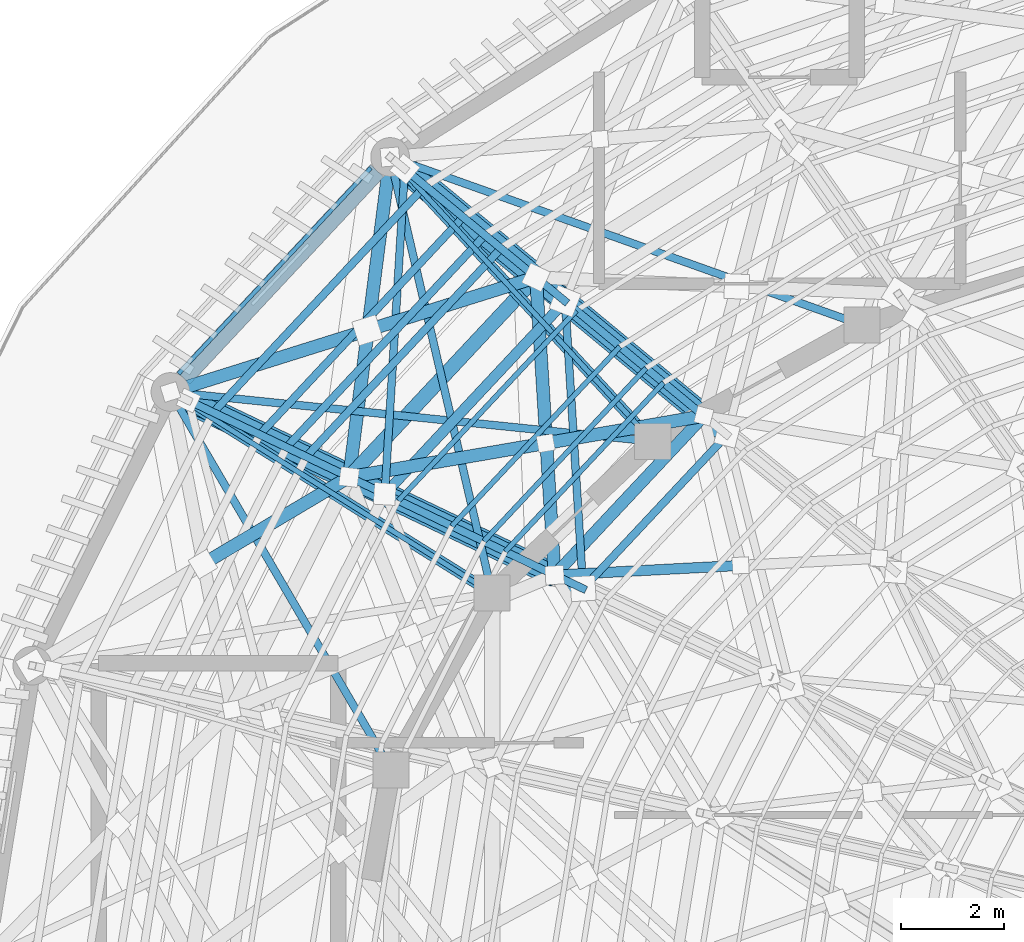
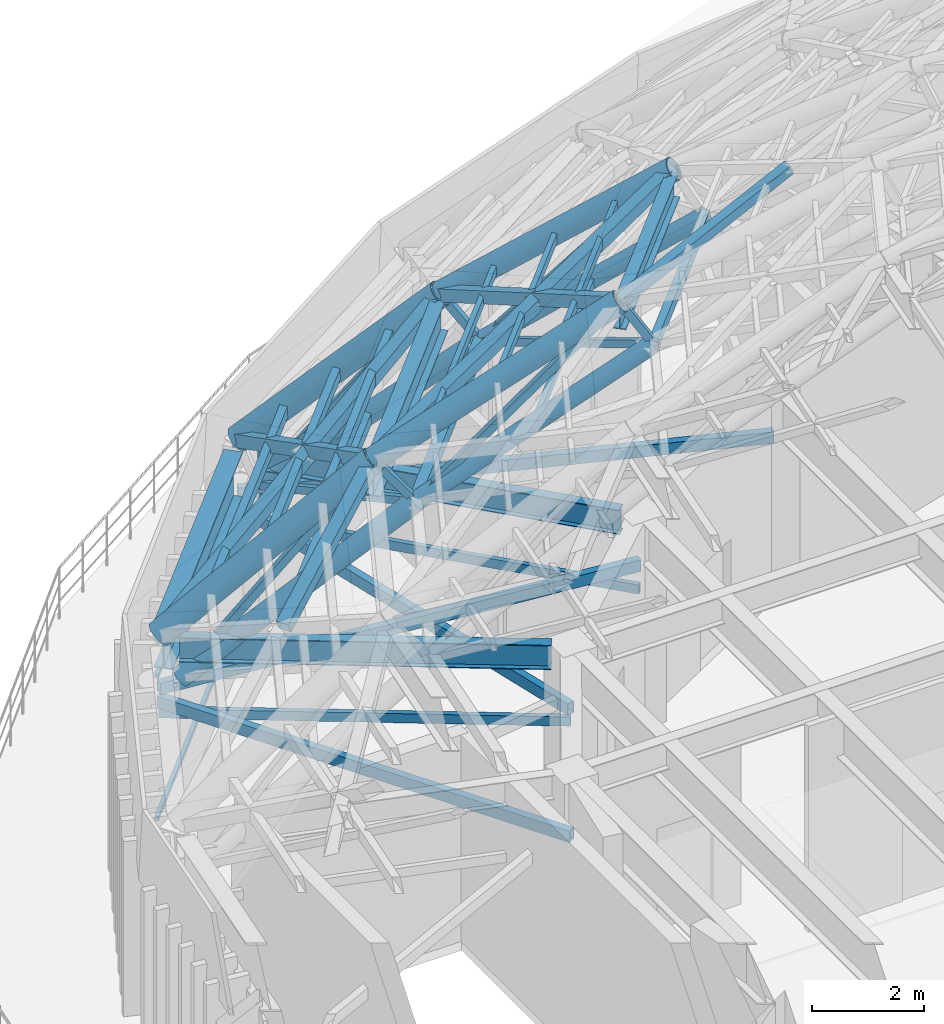
# One storey, part 26 of 50: 43 members, 5 beams.
"""IFC4 building model written with IfcOpenShell, lengths in metres."""

from ifc_helpers import new_model, si_unit, direction, frame, origin, origin_2d, place, context, subcontext, project, spatial, rectangle, hollow_rectangle, hollow_circle, i_section, extrude, material, material_profile, profile_set, type_object, element, save


model = new_model("IFC4")

# Units and contexts
model_context = context("Model", 3, precision=1e-05, world=origin(), true_north=direction((0.0, 1.0)))
body_context = subcontext(model_context, "Body", "Model", "MODEL_VIEW")
ifc_project = project(units=[si_unit("LENGTHUNIT", "METRE"), si_unit("AREAUNIT", "SQUARE_METRE"), si_unit("VOLUMEUNIT", "CUBIC_METRE"), si_unit("PLANEANGLEUNIT", "RADIAN"), si_unit("MASSUNIT", "GRAM", prefix="KILO")], contexts=[model_context])

# Site, building, storey
site_placement = place(None, origin())
site = spatial("IfcSite", under=ifc_project, at=site_placement, CompositionType="ELEMENT")
building_placement = place(site_placement, origin())
building = spatial("IfcBuilding", under=site, at=building_placement, Name="Cinderbank Siding Concert Hall", CompositionType="ELEMENT")
storey_placement = place(building_placement, frame((0.0, 0.0, 23.699951171875)))
storey = spatial("IfcBuildingStorey", under=building, at=storey_placement, Name="L06", CompositionType="ELEMENT", Elevation=23.699951171875)

# Beams
ifc_material_1 = material(Name="Structural steel AS/NZS 3679.1 Grade 350 (340 MPa)", Category="steel")
ifc_material_profile_1 = material_profile(ifc_material_1, i_section(OverallWidth=0.208984375, OverallDepth=0.532958984375, WebThickness=0.01025390625, FlangeThickness=0.015625, at=origin_2d()), Name="530UB92.4", Category="LoadBearing")
ifc_profile_set_1 = profile_set([ifc_material_profile_1], Name="Structural steel AS/NZS 3679.1 Grade 350 (340 MPa)")
beam_type_1 = type_object("IfcBeamType", Name="BM-UB530H 530UB92.4", PredefinedType="BEAM", material=ifc_profile_set_1)
beam_1_placement = place(storey_placement, frame((107.90869140625, 54.292236328125, 4.235595703125), z_axis=(-0.67829203735, 0.734792427879, 0.0), x_axis=(-0.734792427879, -0.67829203735, 0.0)))
element("IfcBeam", 1, at=beam_1_placement, inside=storey, type_object=beam_type_1, Name="L06 Beam BM-UB530H #843", PredefinedType="BEAM", context=body_context, shape_type="SweptSolid", body=[
    extrude(i_section(OverallWidth=0.208984375, OverallDepth=0.532958984375, WebThickness=0.01025390625, FlangeThickness=0.015625, at=origin_2d()), origin(), (0.0, 0.0, 1.0), 6.797119140625),
])
beam_2_placement = place(storey_placement, frame((104.73583984375, 51.281494140625, 4.235595703125), z_axis=(-0.84781868984, 0.530286214376, 0.0), x_axis=(-0.530286214376, -0.84781868984, 0.0)))
element("IfcBeam", 2, at=beam_2_placement, inside=storey, type_object=beam_type_1, Name="L06 Beam BM-UB530H #844", PredefinedType="BEAM", context=body_context, shape_type="SweptSolid", body=[
    extrude(i_section(OverallWidth=0.208984375, OverallDepth=0.532958984375, WebThickness=0.01025390625, FlangeThickness=0.015625, at=origin_2d()), origin(), (0.0, 0.0, 1.0), 6.645263671875),
])
ifc_material_profile_2 = material_profile(ifc_material_1, i_section(OverallWidth=0.22900390625, OverallDepth=0.611572265625, WebThickness=0.011962890625, FlangeThickness=0.01953125, at=origin_2d()), Name="610UB125", Category="LoadBearing")
ifc_profile_set_2 = profile_set([ifc_material_profile_2], Name="Structural steel AS/NZS 3679.1 Grade 350 (340 MPa)")
beam_type_2 = type_object("IfcBeamType", Name="BM-UB610H 610UB125", PredefinedType="BEAM", material=ifc_profile_set_2)
beam_3_placement = place(storey_placement, frame((109.130615234375, 54.535888671875, 10.994140625), z_axis=(-0.683848958016, -0.729623603387, 0.0), x_axis=(0.729623603387, -0.683848958016, 0.0)))
element("IfcBeam", 3, at=beam_3_placement, inside=storey, type_object=beam_type_2, Name="L06 Beam BM-UB610H #2062", PredefinedType="BEAM", context=body_context, shape_type="SweptSolid", body=[
    extrude(i_section(OverallWidth=0.22900390625, OverallDepth=0.611572265625, WebThickness=0.011962890625, FlangeThickness=0.01953125, at=origin_2d()), origin(), (0.0, 0.0, 1.0), 4.2294921875),
])
ifc_material_2 = material(Name="Structural steel welded plate section AS/NZS 3679.2 / AS/NZS 3678 Grade 350 (340 MPa)", Category="steel")
ifc_material_profile_3 = material_profile(ifc_material_2, i_section(OverallWidth=0.35009765625, OverallDepth=1.0, WebThickness=0.013916015625, FlangeThickness=0.02490234375, at=origin_2d()), Name="1000WB258", Category="LoadBearing")
ifc_profile_set_3 = profile_set([ifc_material_profile_3], Name="Structural steel welded plate section AS/NZS 3679.2 / AS/NZS 3678 Grade 350 (340 MPa)")
beam_type_3 = type_object("IfcBeamType", Name="BM-WB1000 1000WB258", PredefinedType="BEAM", material=ifc_profile_set_3)
beam_4_placement = place(storey_placement, frame((102.798828125, 59.2880859375, 4.0), z_axis=(-0.682880789785, -0.730529826183, 0.0), x_axis=(0.730529826183, -0.682880789785, 0.0)))
element("IfcBeam", 4, at=beam_4_placement, inside=storey, type_object=beam_type_3, Name="L06 Beam BM-WB1000 #825", PredefinedType="BEAM", context=body_context, shape_type="SweptSolid", body=[
    extrude(i_section(OverallWidth=0.35009765625, OverallDepth=1.0, WebThickness=0.013916015625, FlangeThickness=0.02490234375, at=origin_2d()), origin(), (0.0, 0.0, 1.0), 5.5029296875),
])
ifc_material_profile_4 = material_profile(ifc_material_2, i_section(OverallWidth=0.27490234375, OverallDepth=0.800048828125, WebThickness=0.010009765625, FlangeThickness=0.01611328125, at=origin_2d()), Name="800WB146", Category="LoadBearing")
ifc_profile_set_4 = profile_set([ifc_material_profile_4], Name="Structural steel welded plate section AS/NZS 3679.2 / AS/NZS 3678 Grade 350 (340 MPa)")
beam_type_4 = type_object("IfcBeamType", Name="BM-WB800 800WB146", PredefinedType="BEAM", material=ifc_profile_set_4)
beam_5_placement = place(storey_placement, frame((105.8779296875, 57.222900390625, 7.699951171875), z_axis=(-0.683191972894, -0.730238815849, 0.0), x_axis=(0.730238815849, -0.683191972894, 0.0)))
element("IfcBeam", 5, at=beam_5_placement, inside=storey, type_object=beam_type_4, Name="L06 Beam BM-WB800 #2042", PredefinedType="BEAM", context=body_context, shape_type="SweptSolid", body=[
    extrude(i_section(OverallWidth=0.27490234375, OverallDepth=0.800048828125, WebThickness=0.010009765625, FlangeThickness=0.01611328125, at=origin_2d()), origin(), (0.0, 0.0, 1.0), 5.303466796875),
])

# Members
ifc_material_3 = material(Name="Structural steel hollow section AS/NZS 1163 Grade C350L0 (350 MPa)", Category="steel")
ifc_material_profile_5 = material_profile(ifc_material_3, hollow_rectangle(XDim=0.14990234375, YDim=0.14990234375, WallThickness=0.008056640625, at=origin_2d()), Name="150x150x8.0SHS", Category="LoadBearing")
ifc_profile_set_5 = profile_set([ifc_material_profile_5], Name="Structural steel hollow section AS/NZS 1163 Grade C350L0 (350 MPa)")
member_type_1 = type_object("IfcMemberType", Name="BR-SHS150 150x150x8.0SHS Roof Truss", PredefinedType="BRACE", material=ifc_profile_set_5)
member_1_placement = place(storey_placement, frame((103.333740234375, 59.322998046875, 3.550048828125), z_axis=(0.452689460035, -0.373671887076, 0.80959346192), x_axis=(0.636588791364, 0.771203417206, 0.0)))
element("IfcMember", 6, at=member_1_placement, inside=storey, type_object=member_type_1, Name="L06 Diagonal Brace BR-SHS150 #DWBD-BR-SHS150-L06-0638", PredefinedType="BRACE", context=body_context, shape_type="SweptSolid", body=[
    extrude(hollow_rectangle(XDim=0.14990234375, YDim=0.14990234375, WallThickness=0.008056640625, at=origin_2d()), origin(), (0.0, 0.0, 1.0), 5.6201171875),
])
member_2_placement = place(storey_placement, frame((103.333740234375, 59.322998046875, 3.550048828125), z_axis=(-0.053385937211, -0.867009122517, 0.495424185098), x_axis=(0.998109644016, -0.061458429216, 0.0)))
element("IfcMember", 7, at=member_2_placement, inside=storey, type_object=member_type_1, Name="L06 Diagonal Brace BR-SHS150 #DBRI-BR-SHS150-L06-0647", PredefinedType="BRACE", context=body_context, shape_type="SweptSolid", body=[
    extrude(hollow_rectangle(XDim=0.14990234375, YDim=0.14990234375, WallThickness=0.008056640625, at=origin_2d()), origin(), (0.0, 0.0, 1.0), 7.2666015625),
])
member_3_placement = place(storey_placement, frame((99.138671875, 54.8349609375, 3.550048828125), z_axis=(0.545595440162, -0.259994630343, 0.79669844224), x_axis=(0.430186155729, 0.902740201508, 0.0)))
element("IfcMember", 8, at=member_3_placement, inside=storey, type_object=member_type_1, Name="L06 Diagonal Brace BR-SHS150 #DWBD-BR-SHS150-L06-0650", PredefinedType="BRACE", context=body_context, shape_type="SweptSolid", body=[
    extrude(hollow_rectangle(XDim=0.14990234375, YDim=0.14990234375, WallThickness=0.008056640625, at=origin_2d()), origin(), (0.0, 0.0, 1.0), 5.711181640625),
])
member_4_placement = place(storey_placement, frame((106.442138671875, 56.760009765625, 7.150146484375), z_axis=(0.495860875676, -0.410215453815, 0.765405300103), x_axis=(0.637427368277, 0.770510447801, 0.0)))
element("IfcMember", 9, at=member_4_placement, inside=storey, type_object=member_type_1, Name="L06 Diagonal Brace BR-SHS150 #DWBD-BR-SHS150-L06-0926", PredefinedType="BRACE", context=body_context, shape_type="SweptSolid", body=[
    extrude(hollow_rectangle(XDim=0.14990234375, YDim=0.14990234375, WallThickness=0.008056640625, at=origin_2d()), origin(), (0.0, 0.0, 1.0), 5.421875),
])
member_5_placement = place(storey_placement, frame((106.442138671875, 56.760009765625, 7.150146484375), z_axis=(-0.470991454389, 0.386412720693, 0.793002054966), x_axis=(-0.634275599208, -0.77310701992, 0.0)))
element("IfcMember", 10, at=member_5_placement, inside=storey, type_object=member_type_1, Name="L06 Diagonal Brace BR-SHS150 #DWBV-BR-SHS150-L06-0929", PredefinedType="BRACE", context=body_context, shape_type="SweptSolid", body=[
    extrude(hollow_rectangle(XDim=0.14990234375, YDim=0.14990234375, WallThickness=0.008056640625, at=origin_2d()), origin(), (0.0, 0.0, 1.0), 1.197998046875),
])
member_6_placement = place(storey_placement, frame((106.442138671875, 56.760009765625, 7.150146484375), z_axis=(0.054073361361, -0.865856813714, 0.497361085869), x_axis=(0.99805564077, 0.06232927023, 0.0)))
element("IfcMember", 11, at=member_6_placement, inside=storey, type_object=member_type_1, Name="L06 Diagonal Brace BR-SHS150 #DBRI-BR-SHS150-L06-0935", PredefinedType="BRACE", context=body_context, shape_type="SweptSolid", body=[
    extrude(hollow_rectangle(XDim=0.14990234375, YDim=0.14990234375, WallThickness=0.008056640625, at=origin_2d()), origin(), (0.0, 0.0, 1.0), 6.433837890625),
])
member_7_placement = place(storey_placement, frame((102.94580078125, 53.022705078125, 7.150146484375), z_axis=(0.595826022207, -0.28461450653, 0.750989969263), x_axis=(0.431029288808, 0.902337936801, 0.0)))
element("IfcMember", 12, at=member_7_placement, inside=storey, type_object=member_type_1, Name="L06 Diagonal Brace BR-SHS150 #DWBD-BR-SHS150-L06-0938", PredefinedType="BRACE", context=body_context, shape_type="SweptSolid", body=[
    extrude(hollow_rectangle(XDim=0.14990234375, YDim=0.14990234375, WallThickness=0.008056640625, at=origin_2d()), origin(), (0.0, 0.0, 1.0), 5.52587890625),
])
member_8_placement = place(storey_placement, frame((102.94580078125, 53.022705078125, 7.150146484375), z_axis=(-0.56673612526, 0.26845395407, 0.778936864495), x_axis=(-0.428086344739, -0.903737838894, 0.0)))
element("IfcMember", 13, at=member_8_placement, inside=storey, type_object=member_type_1, Name="L06 Diagonal Brace BR-SHS150 #DWBV-BR-SHS150-L06-0941", PredefinedType="BRACE", context=body_context, shape_type="SweptSolid", body=[
    extrude(hollow_rectangle(XDim=0.14990234375, YDim=0.14990234375, WallThickness=0.008056640625, at=origin_2d()), origin(), (0.0, 0.0, 1.0), 1.219482421875),
])
member_9_placement = place(storey_placement, frame((106.7900390625, 51.189208984375, 10.35009765625), z_axis=(-0.488677434703, 0.23093252224, 0.841346857713), x_axis=(-0.427260709515, -0.9041284677, 0.0)))
element("IfcMember", 14, at=member_9_placement, inside=storey, type_object=member_type_1, Name="L06 Diagonal Brace BR-SHS150 #DWBV-BR-SHS150-L06-1229", PredefinedType="BRACE", context=body_context, shape_type="SweptSolid", body=[
    extrude(hollow_rectangle(XDim=0.14990234375, YDim=0.14990234375, WallThickness=0.008056640625, at=origin_2d()), origin(), (0.0, 0.0, 1.0), 1.129150390625),
])
ifc_material_profile_6 = material_profile(ifc_material_3, hollow_rectangle(XDim=0.199951171875, YDim=0.199951171875, WallThickness=0.009033203125, at=origin_2d()), Name="200x200x9.0SHS", Category="LoadBearing")
ifc_profile_set_6 = profile_set([ifc_material_profile_6], Name="Structural steel hollow section AS/NZS 1163 Grade C350L0 (350 MPa)")
member_type_2 = type_object("IfcMemberType", Name="BR-SHS200 200x200x9.0SHS Roof Truss", PredefinedType="BRACE", material=ifc_profile_set_6)
member_10_placement = place(storey_placement, frame((106.23828125, 51.449951171875, 11.300048828125), z_axis=(0.917787030053, 0.04791209968, 0.394171787638), x_axis=(-0.05213295132, 0.998640153102, 0.0)))
element("IfcMember", 15, at=member_10_placement, inside=storey, type_object=member_type_2, Name="L06 Diagonal Brace BR-SHS200 #DBRO-BR-SHS200-L06-1222", PredefinedType="BRACE", context=body_context, shape_type="SweptSolid", body=[
    extrude(hollow_rectangle(XDim=0.199951171875, YDim=0.199951171875, WallThickness=0.009033203125, at=origin_2d()), origin(), (0.0, 0.0, 1.0), 3.9287109375),
])
ifc_material_profile_7 = material_profile(ifc_material_3, hollow_rectangle(XDim=0.25, YDim=0.25, WallThickness=0.010009765625, at=origin_2d()), Name="250x250x10.0SHS", Category="LoadBearing")
ifc_profile_set_7 = profile_set([ifc_material_profile_7], Name="Structural steel hollow section AS/NZS 1163 Grade C350L0 (350 MPa)")
member_type_3 = type_object("IfcMemberType", Name="BR-SHS250 250x250x10.0SHS Roof Truss", PredefinedType="BRACE", material=ifc_profile_set_7)
member_11_placement = place(storey_placement, frame((103.049560546875, 59.556396484375, 4.5), z_axis=(-0.110118627621, -0.859743744707, 0.498712924725), x_axis=(0.991896926859, -0.127045214345, 0.0)))
element("IfcMember", 16, at=member_11_placement, inside=storey, type_object=member_type_3, Name="L06 Diagonal Brace BR-SHS250 #DBRO-BR-SHS250-L06-0645", PredefinedType="BRACE", context=body_context, shape_type="SweptSolid", body=[
    extrude(hollow_rectangle(XDim=0.25, YDim=0.25, WallThickness=0.010009765625, at=origin_2d()), origin(), (0.0, 0.0, 1.0), 7.21875),
])
member_12_placement = place(storey_placement, frame((98.79052734375, 55.0, 4.5), z_axis=(0.858647058781, 0.269281471741, 0.436133829716), x_axis=(-0.299240930292, 0.954177586007, 0.0)))
element("IfcMember", 17, at=member_12_placement, inside=storey, type_object=member_type_3, Name="L06 Diagonal Brace BR-SHS250 #DBRO-BR-SHS250-L06-0646", PredefinedType="BRACE", context=body_context, shape_type="SweptSolid", body=[
    extrude(hollow_rectangle(XDim=0.25, YDim=0.25, WallThickness=0.010009765625, at=origin_2d()), origin(), (0.0, 0.0, 1.0), 4.4453125),
])
member_13_placement = place(storey_placement, frame((102.63330078125, 56.205078125, 6.451904296875), z_axis=(0.858616244164, 0.269343199542, 0.436156378055), x_axis=(-0.299313160734, 0.954154930717, 0.0)))
element("IfcMember", 18, at=member_13_placement, inside=storey, type_object=member_type_3, Name="L06 Diagonal Brace BR-SHS250 #DBRO-BR-SHS250-L06-0646-S66", PredefinedType="BRACE", context=body_context, shape_type="SweptSolid", body=[
    extrude(hollow_rectangle(XDim=0.25, YDim=0.25, WallThickness=0.010009765625, at=origin_2d()), origin(), (0.0, 0.0, 1.0), 3.77880859375),
])
member_14_placement = place(storey_placement, frame((99.443603515625, 51.6767578125, 6.452392578125), z_axis=(0.767432013874, 0.456833335339, 0.449834867261), x_axis=(-0.511507475966, 0.85927882671, 0.0)))
element("IfcMember", 19, at=member_14_placement, inside=storey, type_object=member_type_3, Name="L06 Diagonal Brace BR-SHS250 #DBRO-BR-SHS250-L06-0658-S67", PredefinedType="BRACE", context=body_context, shape_type="SweptSolid", body=[
    extrude(hollow_rectangle(XDim=0.25, YDim=0.25, WallThickness=0.010009765625, at=origin_2d()), origin(), (0.0, 0.0, 1.0), 3.662841796875),
])
member_15_placement = place(storey_placement, frame((105.8779296875, 57.222900390625, 8.10009765625), z_axis=(0.054513386933, -0.873322186601, 0.48408330795), x_axis=(0.998057502409, 0.062299453335, 0.0)))
element("IfcMember", 20, at=member_15_placement, inside=storey, type_object=member_type_3, Name="L06 Diagonal Brace BR-SHS250 #DBRO-BR-SHS250-L06-0933", PredefinedType="BRACE", context=body_context, shape_type="SweptSolid", body=[
    extrude(hollow_rectangle(XDim=0.25, YDim=0.25, WallThickness=0.010009765625, at=origin_2d()), origin(), (0.0, 0.0, 1.0), 6.6103515625),
])
member_16_placement = place(storey_placement, frame((102.254638671875, 53.35009765625, 8.10009765625), z_axis=(0.895759608871, 0.154476929345, 0.416835220938), x_axis=(-0.169944969115, 0.985453554193, 0.0)))
element("IfcMember", 21, at=member_16_placement, inside=storey, type_object=member_type_3, Name="L06 Diagonal Brace BR-SHS250 #DBRO-BR-SHS250-L06-0934", PredefinedType="BRACE", context=body_context, shape_type="SweptSolid", body=[
    extrude(hollow_rectangle(XDim=0.25, YDim=0.25, WallThickness=0.010009765625, at=origin_2d()), origin(), (0.0, 0.0, 1.0), 4.254638671875),
])
member_17_placement = place(storey_placement, frame((106.092529296875, 54.011962890625, 9.88623046875), z_axis=(0.895752335307, 0.154474808066, 0.416851637236), x_axis=(-0.169944042918, 0.985453713919, 0.0)))
element("IfcMember", 22, at=member_17_placement, inside=storey, type_object=member_type_3, Name="L06 Diagonal Brace BR-SHS250 #DBRO-BR-SHS250-L06-0934-S90", PredefinedType="BRACE", context=body_context, shape_type="SweptSolid", body=[
    extrude(hollow_rectangle(XDim=0.25, YDim=0.25, WallThickness=0.010009765625, at=origin_2d()), origin(), (0.0, 0.0, 1.0), 3.3916015625),
])
ifc_material_profile_8 = material_profile(ifc_material_3, hollow_circle(Radius=0.177734375, WallThickness=0.0126953125, at=origin_2d()), Name="355.6x12.7CHS", Category="LoadBearing")
ifc_profile_set_8 = profile_set([ifc_material_profile_8], Name="Structural steel hollow section AS/NZS 1163 Grade C350L0 (350 MPa)")
member_type_4 = type_object("IfcMemberType", Name="DR-CHS355 355.6x12.7CHS Roof Truss", PredefinedType="RAFTER", material=ifc_profile_set_8)
member_18_placement = place(storey_placement, frame((106.442138671875, 56.760009765625, 7.150146484375), z_axis=(0.606151109614, -0.500733525333, 0.61793751215), x_axis=(0.636881446996, 0.770961751627, 0.0)))
element("IfcMember", 23, at=member_18_placement, inside=storey, type_object=member_type_4, Name="L06 Roof Truss Member DR-CHS355 #925", PredefinedType="RAFTER", context=body_context, shape_type="SweptSolid", body=[
    extrude(hollow_circle(Radius=0.177734375, WallThickness=0.0126953125, at=origin_2d()), origin(), (0.0, 0.0, 1.0), 5.178466796875),
])
member_19_placement = place(storey_placement, frame((102.94580078125, 53.022705078125, 7.150146484375), z_axis=(0.721618143881, -0.344173266896, 0.600676299495), x_axis=(0.430489767889, 0.902595457413, 0.0)))
element("IfcMember", 24, at=member_19_placement, inside=storey, type_object=member_type_4, Name="L06 Roof Truss Member DR-CHS355 #937", PredefinedType="RAFTER", context=body_context, shape_type="SweptSolid", body=[
    extrude(hollow_circle(Radius=0.177734375, WallThickness=0.0126953125, at=origin_2d()), origin(), (0.0, 0.0, 1.0), 5.3271484375),
])
ifc_material_profile_9 = material_profile(ifc_material_3, hollow_circle(Radius=0.203125, WallThickness=0.01611328125, at=origin_2d()), Name="406.4x16.0CHS", Category="LoadBearing")
ifc_profile_set_9 = profile_set([ifc_material_profile_9], Name="Structural steel hollow section AS/NZS 1163 Grade C350L0 (350 MPa)")
member_type_5 = type_object("IfcMemberType", Name="DR-CHS406 406.4x16.0CHS Roof Truss", PredefinedType="RAFTER", material=ifc_profile_set_9)
member_20_placement = place(storey_placement, frame((103.333740234375, 59.322998046875, 3.550048828125), z_axis=(0.575316188818, -0.474369254651, 0.666322064115), x_axis=(0.636170191189, 0.771548759213, 0.0)))
element("IfcMember", 25, at=member_20_placement, inside=storey, type_object=member_type_5, Name="L06 Roof Truss Member DR-CHS406 #637", PredefinedType="RAFTER", context=body_context, shape_type="SweptSolid", body=[
    extrude(hollow_circle(Radius=0.203125, WallThickness=0.01611328125, at=origin_2d()), origin(), (0.0, 0.0, 1.0), 5.40283203125),
])
member_21_placement = place(storey_placement, frame((99.138671875, 54.8349609375, 3.550048828125), z_axis=(0.686675048231, -0.326868595807, 0.649333734848), x_axis=(0.429805464198, 0.902921515385, 0.0)))
element("IfcMember", 26, at=member_21_placement, inside=storey, type_object=member_type_5, Name="L06 Roof Truss Member DR-CHS406 #649", PredefinedType="RAFTER", context=body_context, shape_type="SweptSolid", body=[
    extrude(hollow_circle(Radius=0.203125, WallThickness=0.01611328125, at=origin_2d()), origin(), (0.0, 0.0, 1.0), 5.544189453125),
])
ifc_material_profile_10 = material_profile(ifc_material_3, hollow_circle(Radius=0.228515625, WallThickness=0.01611328125, at=origin_2d()), Name="457.0x16.0CHS", Category="LoadBearing")
ifc_profile_set_10 = profile_set([ifc_material_profile_10], Name="Structural steel hollow section AS/NZS 1163 Grade C350L0 (350 MPa)")
member_type_6 = type_object("IfcMemberType", Name="DR-CHS457 457.0x16.0CHS Roof Truss", PredefinedType="RAFTER", material=ifc_profile_set_10)
member_22_placement = place(storey_placement, frame((105.8779296875, 57.222900390625, 8.10009765625), z_axis=(0.6142646629, -0.507438030464, 0.604305857287), x_axis=(0.636882942431, 0.770960516265, 0.0)))
element("IfcMember", 27, at=member_22_placement, inside=storey, type_object=member_type_6, Name="L06 Roof Truss Member DR-CHS457 #924", PredefinedType="RAFTER", context=body_context, shape_type="SweptSolid", body=[
    extrude(hollow_circle(Radius=0.228515625, WallThickness=0.01611328125, at=origin_2d()), origin(), (0.0, 0.0, 1.0), 5.295166015625),
])
member_23_placement = place(storey_placement, frame((102.254638671875, 53.35009765625, 8.10009765625), z_axis=(0.73073263404, -0.348550106682, 0.586977546998), x_axis=(0.430519669304, 0.902581195429, 0.0)))
element("IfcMember", 28, at=member_23_placement, inside=storey, type_object=member_type_6, Name="L06 Roof Truss Member DR-CHS457 #936", PredefinedType="RAFTER", context=body_context, shape_type="SweptSolid", body=[
    extrude(hollow_circle(Radius=0.228515625, WallThickness=0.01611328125, at=origin_2d()), origin(), (0.0, 0.0, 1.0), 5.45166015625),
])
ifc_material_profile_11 = material_profile(ifc_material_3, hollow_circle(Radius=0.25390625, WallThickness=0.01611328125, at=origin_2d()), Name="508.0x16.0CHS", Category="LoadBearing")
ifc_profile_set_11 = profile_set([ifc_material_profile_11], Name="Structural steel hollow section AS/NZS 1163 Grade C350L0 (350 MPa)")
member_type_7 = type_object("IfcMemberType", Name="DR-CHS508 508.0x16.0CHS Roof Truss", PredefinedType="RAFTER", material=ifc_profile_set_11)
member_24_placement = place(storey_placement, frame((103.049560546875, 59.556396484375, 4.5), z_axis=(0.550412440768, -0.454108080177, 0.700594031209), x_axis=(0.636397811369, 0.771361021627, 0.0)))
element("IfcMember", 29, at=member_24_placement, inside=storey, type_object=member_type_7, Name="L06 Roof Truss Member DR-CHS508 #636", PredefinedType="RAFTER", context=body_context, shape_type="SweptSolid", body=[
    extrude(hollow_circle(Radius=0.25390625, WallThickness=0.01611328125, at=origin_2d()), origin(), (0.0, 0.0, 1.0), 5.138671875),
])
member_25_placement = place(storey_placement, frame((98.79052734375, 55.0, 4.5), z_axis=(0.658393706592, -0.313582681595, 0.684239452914), x_axis=(0.430002735645, 0.902827584502, 0.0)))
element("IfcMember", 30, at=member_25_placement, inside=storey, type_object=member_type_7, Name="L06 Roof Truss Member DR-CHS508 #648", PredefinedType="RAFTER", context=body_context, shape_type="SweptSolid", body=[
    extrude(hollow_circle(Radius=0.25390625, WallThickness=0.01611328125, at=origin_2d()), origin(), (0.0, 0.0, 1.0), 5.261474609375),
])
ifc_material_4 = material(Name="Anodised aluminium alloy 6063-T6", Category="aluminium")
ifc_material_profile_12 = material_profile(ifc_material_4, rectangle(XDim=0.080078125, YDim=0.10009765625, at=origin_2d()), Name="ALU-RAIL-80x100", Category="LoadBearing")
ifc_profile_set_12 = profile_set([ifc_material_profile_12], Name="Anodised aluminium alloy 6063-T6")
member_type_8 = type_object("IfcMemberType", Name="LV-RL1 Carrier Rail 80x100", PredefinedType="STUD", material=ifc_profile_set_12)
for number, where, z_axis, x_axis, name in (
    (31, (102.673095703125, 59.3408203125, 0.219970703125), (-0.682858444422, -0.730550713422, 0.0), (0.730550713422, -0.682858444422, 0.0), "L06 Louvre Carrier Rail 10 BOT"),
    (32, (102.673095703125, 59.3408203125, 3.320068359375), (-0.682858444422, -0.730550713422, 0.0), (0.730550713422, -0.682858444422, 0.0), "L06 Louvre Carrier Rail 10 TOP"),
):
    element("IfcMember", number, at=place(storey_placement, frame(where, z_axis=z_axis, x_axis=x_axis)), inside=storey, type_object=member_type_8, Name=name, PredefinedType="STUD", context=body_context, shape_type="SweptSolid", body=[
        extrude(rectangle(XDim=0.080078125, YDim=0.10009765625, at=origin_2d()), origin(), (0.0, 0.0, 1.0), 5.45703125),
    ])
ifc_material_profile_13 = material_profile(ifc_material_3, hollow_rectangle(XDim=0.10009765625, YDim=0.199951171875, WallThickness=0.008056640625, at=origin_2d()), Name="200x100x8.0RHS", Category="LoadBearing")
ifc_profile_set_13 = profile_set([ifc_material_profile_13], Name="Structural steel hollow section AS/NZS 1163 Grade C350L0 (350 MPa)")
member_type_9 = type_object("IfcMemberType", Name="PR-RHS200 200x100x8.0RHS Roof Truss", PredefinedType="PURLIN", material=ifc_profile_set_13)
member_26_placement = place(storey_placement, frame((108.01171875, 55.463623046875, 8.75), z_axis=(-0.683476646555, -0.729972378665, 0.0), x_axis=(0.729972378665, -0.683476646555, 0.0)))
element("IfcMember", 33, at=member_26_placement, inside=storey, type_object=member_type_9, Name="L06 Roof Truss Member PR-RHS200 #928", PredefinedType="PURLIN", context=body_context, shape_type="SweptSolid", body=[
    extrude(hollow_rectangle(XDim=0.10009765625, YDim=0.199951171875, WallThickness=0.008056640625, at=origin_2d()), origin(), (0.0, 0.0, 1.0), 4.599609375),
])
member_27_placement = place(storey_placement, frame((106.65869140625, 56.577880859375, 8.8681640625), z_axis=(-0.683350217783, -0.730090733989, 0.0), x_axis=(0.730090733989, -0.683350217783, 0.0)))
element("IfcMember", 34, at=member_27_placement, inside=storey, type_object=member_type_9, Name="L06 Roof Truss Member PR-RHS200 #930", PredefinedType="PURLIN", context=body_context, shape_type="SweptSolid", body=[
    extrude(hollow_rectangle(XDim=0.10009765625, YDim=0.199951171875, WallThickness=0.008056640625, at=origin_2d()), origin(), (0.0, 0.0, 1.0), 5.045654296875),
])
member_28_placement = place(storey_placement, frame((107.50439453125, 55.87939453125, 9.699951171875), z_axis=(-0.683498040319, -0.729952346993, 0.0), x_axis=(0.729952346993, -0.683498040319, 0.0)))
element("IfcMember", 35, at=member_28_placement, inside=storey, type_object=member_type_9, Name="L06 Roof Truss Member PR-RHS200 #931", PredefinedType="PURLIN", context=body_context, shape_type="SweptSolid", body=[
    extrude(hollow_rectangle(XDim=0.10009765625, YDim=0.199951171875, WallThickness=0.008056640625, at=origin_2d()), origin(), (0.0, 0.0, 1.0), 4.766845703125),
])
member_29_placement = place(storey_placement, frame((108.35009765625, 55.180908203125, 10.531982421875), z_axis=(-0.683662376866, -0.72979843413, 0.0), x_axis=(0.72979843413, -0.683662376866, 0.0)))
element("IfcMember", 36, at=member_29_placement, inside=storey, type_object=member_type_9, Name="L06 Roof Truss Member PR-RHS200 #932", PredefinedType="PURLIN", context=body_context, shape_type="SweptSolid", body=[
    extrude(hollow_rectangle(XDim=0.10009765625, YDim=0.199951171875, WallThickness=0.008056640625, at=origin_2d()), origin(), (0.0, 0.0, 1.0), 4.4873046875),
])
member_30_placement = place(storey_placement, frame((108.140625, 54.041015625, 2.81005859375), z_axis=(-0.678276049894, 0.734807185689, 0.0), x_axis=(-0.734807185689, -0.678276049894, 0.0)))
element("IfcMember", 37, at=member_30_placement, inside=storey, type_object=member_type_9, Name="L06 Roof Truss Member PR-RHS200 #2345", PredefinedType="PURLIN", context=body_context, shape_type="SweptSolid", body=[
    extrude(hollow_rectangle(XDim=0.10009765625, YDim=0.199951171875, WallThickness=0.008056640625, at=origin_2d()), origin(), (0.0, 0.0, 1.0), 7.505859375),
])
member_31_placement = place(storey_placement, frame((105.02587890625, 51.10009765625, 2.81005859375), z_axis=(-0.847826684568, 0.530273432235, 0.0), x_axis=(-0.530273432235, -0.847826684568, 0.0)))
element("IfcMember", 38, at=member_31_placement, inside=storey, type_object=member_type_9, Name="L06 Roof Truss Member PR-RHS200 #2348", PredefinedType="PURLIN", context=body_context, shape_type="SweptSolid", body=[
    extrude(hollow_rectangle(XDim=0.10009765625, YDim=0.199951171875, WallThickness=0.008056640625, at=origin_2d()), origin(), (0.0, 0.0, 1.0), 7.3544921875),
])
ifc_material_profile_14 = material_profile(ifc_material_3, hollow_rectangle(XDim=0.14990234375, YDim=0.25, WallThickness=0.009033203125, at=origin_2d()), Name="250x150x9.0RHS", Category="LoadBearing")
ifc_profile_set_14 = profile_set([ifc_material_profile_14], Name="Structural steel hollow section AS/NZS 1163 Grade C350L0 (350 MPa)")
member_type_10 = type_object("IfcMemberType", Name="PR-RHS250 250x150x9.0RHS Roof Truss", PredefinedType="PURLIN", material=ifc_profile_set_14)
member_32_placement = place(storey_placement, frame((104.887939453125, 58.04150390625, 5.35009765625), z_axis=(-0.68299151916, -0.730426303439, 0.0), x_axis=(0.730426303439, -0.68299151916, 0.0)))
element("IfcMember", 39, at=member_32_placement, inside=storey, type_object=member_type_10, Name="L06 Roof Truss Member PR-RHS250 #640", PredefinedType="PURLIN", context=body_context, shape_type="SweptSolid", body=[
    extrude(hollow_rectangle(XDim=0.14990234375, YDim=0.25, WallThickness=0.009033203125, at=origin_2d()), origin(), (0.0, 0.0, 1.0), 5.630615234375),
])
member_33_placement = place(storey_placement, frame((103.728271484375, 58.996337890625, 5.364013671875), z_axis=(-0.682934278853, -0.730479822286, 0.0), x_axis=(0.730479822286, -0.682934278853, 0.0)))
element("IfcMember", 40, at=member_33_placement, inside=storey, type_object=member_type_10, Name="L06 Roof Truss Member PR-RHS250 #642", PredefinedType="PURLIN", context=body_context, shape_type="SweptSolid", body=[
    extrude(hollow_rectangle(XDim=0.14990234375, YDim=0.25, WallThickness=0.009033203125, at=origin_2d()), origin(), (0.0, 0.0, 1.0), 6.012939453125),
])
member_34_placement = place(storey_placement, frame((104.4638671875, 58.3896484375, 6.300048828125), z_axis=(-0.683038480472, -0.730382389023, 0.0), x_axis=(0.730382389023, -0.683038480472, 0.0)))
element("IfcMember", 41, at=member_34_placement, inside=storey, type_object=member_type_10, Name="L06 Roof Truss Member PR-RHS250 #643", PredefinedType="PURLIN", context=body_context, shape_type="SweptSolid", body=[
    extrude(hollow_rectangle(XDim=0.14990234375, YDim=0.25, WallThickness=0.009033203125, at=origin_2d()), origin(), (0.0, 0.0, 1.0), 5.7705078125),
])
member_35_placement = place(storey_placement, frame((105.19921875, 57.782958984375, 7.236083984375), z_axis=(-0.68312825559, -0.730298422848, 0.0), x_axis=(0.730298422848, -0.68312825559, 0.0)))
element("IfcMember", 42, at=member_35_placement, inside=storey, type_object=member_type_10, Name="L06 Roof Truss Member PR-RHS250 #644", PredefinedType="PURLIN", context=body_context, shape_type="SweptSolid", body=[
    extrude(hollow_rectangle(XDim=0.14990234375, YDim=0.25, WallThickness=0.009033203125, at=origin_2d()), origin(), (0.0, 0.0, 1.0), 5.527587890625),
])
member_36_placement = place(storey_placement, frame((109.5810546875, 54.1669921875, 10.35009765625), z_axis=(-0.683855561271, -0.729617414347, 0.0), x_axis=(0.729617414347, -0.683855561271, 0.0)))
element("IfcMember", 43, at=member_36_placement, inside=storey, type_object=member_type_10, Name="L06 Roof Truss Member PR-RHS250 #927", PredefinedType="PURLIN", context=body_context, shape_type="SweptSolid", body=[
    extrude(hollow_rectangle(XDim=0.14990234375, YDim=0.25, WallThickness=0.009033203125, at=origin_2d()), origin(), (0.0, 0.0, 1.0), 4.081298828125),
])
ifc_material_profile_15 = material_profile(ifc_material_3, hollow_rectangle(XDim=0.199951171875, YDim=0.300048828125, WallThickness=0.010009765625, at=origin_2d()), Name="300x200x10.0RHS", Category="LoadBearing")
ifc_profile_set_15 = profile_set([ifc_material_profile_15], Name="Structural steel hollow section AS/NZS 1163 Grade C350L0 (350 MPa)")
member_type_11 = type_object("IfcMemberType", Name="PR-RHS300 300x200x10.0RHS Roof Truss", PredefinedType="PURLIN", material=ifc_profile_set_15)
member_37_placement = place(storey_placement, frame((106.442138671875, 56.760009765625, 7.150146484375), z_axis=(-0.683172721189, -0.730256826755, 0.0), x_axis=(0.730256826755, -0.683172721189, 0.0)))
element("IfcMember", 44, at=member_37_placement, inside=storey, type_object=member_type_11, Name="L06 Roof Truss Member PR-RHS300 #639", PredefinedType="PURLIN", context=body_context, shape_type="SweptSolid", body=[
    extrude(hollow_rectangle(XDim=0.199951171875, YDim=0.300048828125, WallThickness=0.010009765625, at=origin_2d()), origin(), (0.0, 0.0, 1.0), 5.11767578125),
])
ifc_material_profile_16 = material_profile(ifc_material_3, hollow_rectangle(XDim=0.14990234375, YDim=0.25, WallThickness=0.009033203125, at=origin_2d()), Name="250x150x9.0RHS", Category="LoadBearing")
ifc_profile_set_16 = profile_set([ifc_material_profile_16], Name="Structural steel hollow section AS/NZS 1163 Grade C350L0 (350 MPa)")
member_type_12 = type_object("IfcMemberType", Name="TR-RHS250 250x150x9.0RHS Roof Truss", PredefinedType="RAFTER", material=ifc_profile_set_16)
member_38_placement = place(storey_placement, frame((112.199951171875, 56.297607421875, 3.35009765625), z_axis=(-0.942041785809, 0.335495564487, 0.0), x_axis=(-0.335495564487, -0.942041785809, 0.0)))
element("IfcMember", 45, at=member_38_placement, inside=storey, type_object=member_type_12, Name="L06 Roof Truss Member TR-RHS250 #2342", PredefinedType="RAFTER", context=body_context, shape_type="SweptSolid", body=[
    extrude(hollow_rectangle(XDim=0.14990234375, YDim=0.25, WallThickness=0.009033203125, at=origin_2d()), origin(), (0.0, 0.0, 1.0), 9.71337890625),
])
member_39_placement = place(storey_placement, frame((108.140625, 54.041015625, 3.35009765625), z_axis=(-0.994781438611, 0.102028865499, 0.0), x_axis=(-0.102028865499, -0.994781438611, 0.0)))
element("IfcMember", 46, at=member_39_placement, inside=storey, type_object=member_type_12, Name="L06 Roof Truss Member TR-RHS250 #2343", PredefinedType="RAFTER", context=body_context, shape_type="SweptSolid", body=[
    extrude(hollow_rectangle(XDim=0.14990234375, YDim=0.25, WallThickness=0.009033203125, at=origin_2d()), origin(), (0.0, 0.0, 1.0), 9.399169921875),
])
member_40_placement = place(storey_placement, frame((105.02587890625, 51.10009765625, 3.070068359375), z_axis=(-0.227577092084, 0.973760066525, 0.0), x_axis=(-0.973760066525, -0.227577092084, 0.0)))
element("IfcMember", 47, at=member_40_placement, inside=storey, type_object=member_type_12, Name="L06 Roof Truss Member TR-RHS250 #2344", PredefinedType="RAFTER", context=body_context, shape_type="SweptSolid", body=[
    extrude(hollow_rectangle(XDim=0.14990234375, YDim=0.25, WallThickness=0.009033203125, at=origin_2d()), origin(), (0.0, 0.0, 1.0), 8.68408203125),
])
member_41_placement = place(storey_placement, frame((103.06787109375, 47.67529296875, 3.070068359375), z_axis=(-0.50427542144, 0.863542876372, 0.0), x_axis=(-0.863542876372, -0.50427542144, 0.0)))
element("IfcMember", 48, at=member_41_placement, inside=storey, type_object=member_type_12, Name="L06 Roof Truss Member TR-RHS250 #2347", PredefinedType="RAFTER", context=body_context, shape_type="SweptSolid", body=[
    extrude(hollow_rectangle(XDim=0.14990234375, YDim=0.25, WallThickness=0.009033203125, at=origin_2d()), origin(), (0.0, 0.0, 1.0), 8.482177734375),
])

save(model, "model.ifc")
